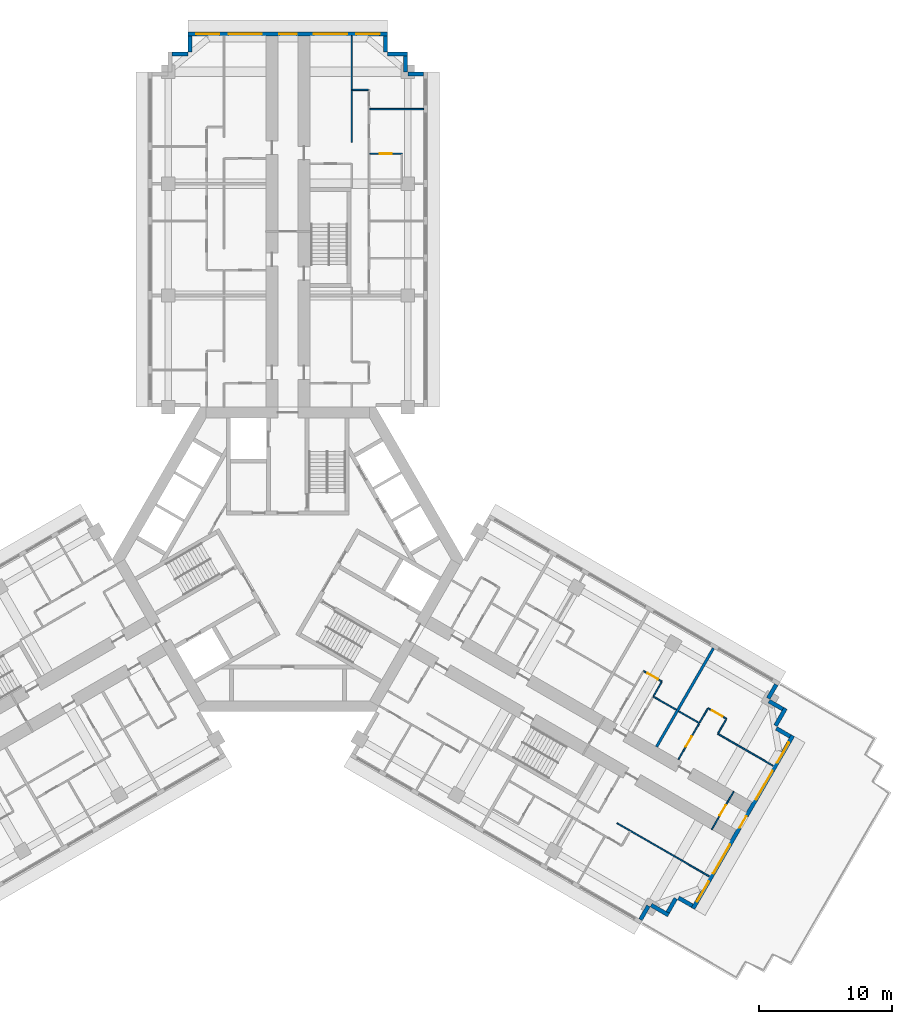
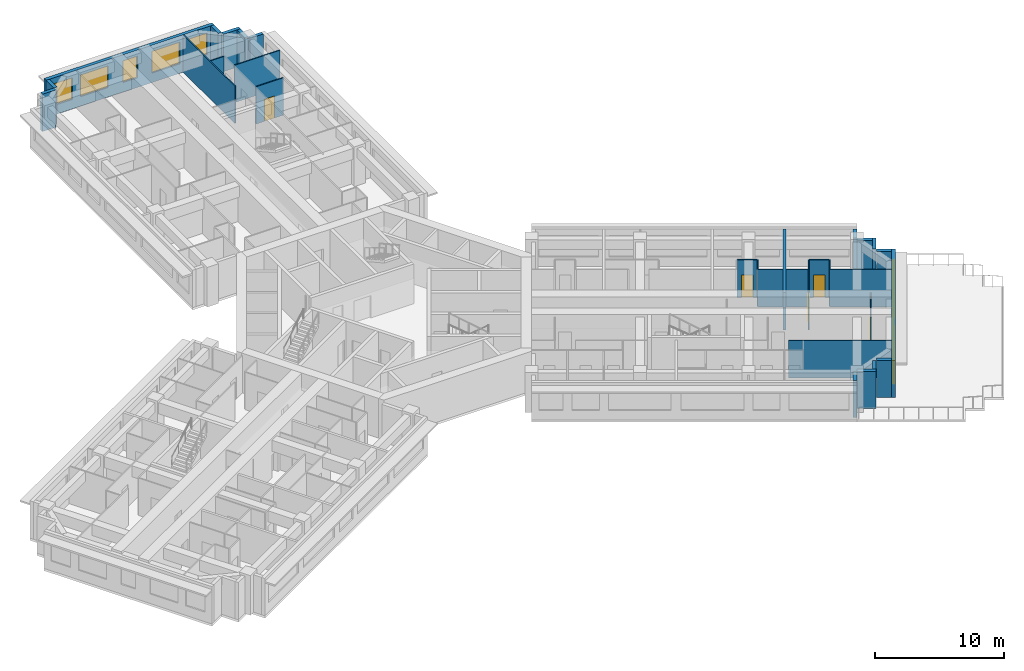
# One storey, part 11 of 14: 32 walls, 9 windows, 6 doors, 15 openings.
"""IFC4 building model written with IfcOpenShell, lengths in metres."""

from ifc_helpers import new_model, si_unit, direction, frame, frame_2d, origin, place, context, subcontext, project, spatial, rectangle, extrude, material, layer, layer_set, type_object, element, fill, save


model = new_model("IFC4")

# Units and contexts
model_context = context("Model", 3, precision=1e-05, world=origin(), true_north=direction((0.0, 1.0)))
body_context = subcontext(model_context, "Body", "Model", "MODEL_VIEW")
ifc_project = project(units=[si_unit("LENGTHUNIT", "METRE"), si_unit("AREAUNIT", "SQUARE_METRE"), si_unit("VOLUMEUNIT", "CUBIC_METRE"), si_unit("PLANEANGLEUNIT", "RADIAN"), si_unit("MASSUNIT", "GRAM", prefix="KILO")], contexts=[model_context])

# Site, building, storey
site_placement = place(None, origin())
site = spatial("IfcSite", under=ifc_project, at=site_placement, CompositionType="ELEMENT")
building_placement = place(site_placement, origin())
building = spatial("IfcBuilding", under=site, at=building_placement, Name="Impinga Residences", CompositionType="ELEMENT")
storey_placement = place(building_placement, frame((0.0, 0.0, 158.5)))
storey = spatial("IfcBuildingStorey", under=building, at=storey_placement, Name="L39", CompositionType="ELEMENT", Elevation=158.5)

# Wall, opening, door
ifc_material_1 = material(Name="Concrete blockwork", Category="masonry")
ifc_layer_1 = layer(ifc_material_1, 0.10009765625)
ifc_layer_set_1 = layer_set([ifc_layer_1], Name="CP1 core room partition, blockwork 100")
wall_type_1 = type_object("IfcWallType", Name="CP1 core room partition, blockwork 100", PredefinedType="PARTITIONING", material=ifc_layer_set_1)
wall_1_placement = place(storey_placement, frame((33.50146484375, -17.436767578125, 0.0), z_axis=(0.0, 0.0, 1.0), x_axis=(-0.499974350878, -0.866040211805, 0.0)))
wall_1 = element("IfcWall", 1, at=wall_1_placement, inside=storey, type_object=wall_type_1, Name="Core room partition, blockwork L39:E:RFA", PredefinedType="PARTITIONING", context=body_context, shape_type="SweptSolid", body=[
    extrude(rectangle(XDim=3.300048828125, YDim=0.10009765625, at=frame_2d((1.64990234375, 0.0))), origin(), (0.0, 0.0, 1.0), 3.530029296875),
])
opening_1_placement = place(wall_1_placement, frame((1.199951171875, 0.0, 0.0)))
opening_1 = element("IfcOpeningElement", 2, at=opening_1_placement, cuts=wall_1, Name="Opening D6", PredefinedType="OPENING", context=body_context, shape_type="SweptSolid", body=[
    extrude(rectangle(XDim=0.89990234375, YDim=2.10009765625, at=frame_2d((0.449951171875, 1.050048828125))), frame((0.0, 0.06005859375, 0.0), z_axis=(0.0, -1.0, 0.0), x_axis=(1.0, 0.0, 0.0)), (0.0, 0.0, 1.0), 0.1201171875),
])
ifc_material_2 = material(Name="Timber door set", Category="wood")
door_type_1 = type_object("IfcDoorType", Name="D6 riser and store door 900x2100", OperationType="SINGLE_SWING_LEFT", PredefinedType="DOOR", material=ifc_material_2)
door_1_placement = place(opening_1_placement, origin())
door_1 = element("IfcDoor", 3, at=door_1_placement, inside=storey, type_object=door_type_1, Name="Roof access room door E", OperationType="SINGLE_SWING_RIGHT", OverallHeight=2.10009765625, OverallWidth=0.89990234375, PredefinedType="DOOR", context=body_context, shape_type="SweptSolid", body=[
    extrude(rectangle(XDim=0.89990234375, YDim=2.10009765625, at=frame_2d((0.449951171875, 1.050048828125))), frame((0.0, 0.02490234375, 0.0), z_axis=(0.0, -1.0, 0.0), x_axis=(1.0, 0.0, 0.0)), (0.0, 0.0, 1.0), 0.050048828125),
])
fill(opening_1, door_1)

# Walls
ifc_material_3 = material(Name="Terracotta rainscreen on blockwork", Category="masonry")
ifc_layer_2 = layer(ifc_material_3, 0.300048828125)
ifc_layer_set_2 = layer_set([ifc_layer_2], Name="EW1 external wall, terracotta rainscreen on blockwork 300")
wall_type_2 = type_object("IfcWallType", Name="EW1 external wall, terracotta rainscreen on blockwork 300", PredefinedType="SOLIDWALL", material=ifc_layer_set_2)
wall_2_placement = place(storey_placement, frame((-8.699951171875, 37.9814453125, 0.0), z_axis=(0.0, 0.0, 1.0), x_axis=(1.0, 0.0, 0.0)))
element("IfcWall", 4, at=wall_2_placement, inside=storey, type_object=wall_type_2, Name="External wall EW1 L39", PredefinedType="SOLIDWALL", context=body_context, shape_type="SweptSolid", body=[
    extrude(rectangle(XDim=1.199951171875, YDim=0.300048828125, at=frame_2d((0.60009765625, 0.0))), origin(), (0.0, 0.0, 1.0), 3.530029296875),
])
wall_3_placement = place(storey_placement, frame((-7.35009765625, 38.136474609375, 0.0), z_axis=(0.0, 0.0, 1.0), x_axis=(0.0, 1.0, 0.0)))
element("IfcWall", 5, at=wall_3_placement, inside=storey, type_object=wall_type_2, Name="External wall EW1 L39", PredefinedType="SOLIDWALL", context=body_context, shape_type="SweptSolid", body=[
    extrude(rectangle(XDim=1.195068359375, YDim=0.300048828125, at=frame_2d((0.59765625, 0.0))), origin(), (0.0, 0.0, 1.0), 3.530029296875),
])

# Wall, openings, windows
wall_4_placement = place(storey_placement, frame((-7.5, 39.4814453125, 0.0), z_axis=(0.0, 0.0, 1.0), x_axis=(1.0, 0.0, 0.0)))
wall_4 = element("IfcWall", 6, at=wall_4_placement, inside=storey, type_object=wall_type_2, Name="External wall EW1 L39", PredefinedType="SOLIDWALL", context=body_context, shape_type="SweptSolid", body=[
    extrude(rectangle(XDim=15.0, YDim=0.300048828125, at=frame_2d((7.5, 0.0))), origin(), (0.0, 0.0, 1.0), 3.530029296875),
])
opening_2_placement = place(wall_4_placement, frame((0.60009765625, 0.0, 0.89990234375)))
opening_2 = element("IfcOpeningElement", 7, at=opening_2_placement, cuts=wall_4, Name="Opening W1", PredefinedType="OPENING", context=body_context, shape_type="SweptSolid", body=[
    extrude(rectangle(XDim=1.75, YDim=2.050048828125, at=frame_2d((0.875, 1.02490234375))), frame((0.0, 0.159912109375, 0.0), z_axis=(0.0, -1.0, 0.0), x_axis=(1.0, 0.0, 0.0)), (0.0, 0.0, 1.0), 0.320068359375),
])
opening_3_placement = place(wall_4_placement, frame((3.050048828125, 0.0, 0.89990234375)))
opening_3 = element("IfcOpeningElement", 8, at=opening_3_placement, cuts=wall_4, Name="Opening W2", PredefinedType="OPENING", context=body_context, shape_type="SweptSolid", body=[
    extrude(rectangle(XDim=2.5, YDim=2.050048828125, at=frame_2d((1.25, 1.02490234375))), frame((0.0, 0.159912109375, 0.0), z_axis=(0.0, -1.0, 0.0), x_axis=(1.0, 0.0, 0.0)), (0.0, 0.0, 1.0), 0.320068359375),
])
opening_4_placement = place(wall_4_placement, frame((6.85009765625, 0.0, 0.89990234375)))
opening_4 = element("IfcOpeningElement", 9, at=opening_4_placement, cuts=wall_4, Name="Opening W17", PredefinedType="OPENING", context=body_context, shape_type="SweptSolid", body=[
    extrude(rectangle(XDim=1.300048828125, YDim=2.050048828125, at=frame_2d((0.64990234375, 1.02490234375))), frame((0.0, 0.159912109375, 0.0), z_axis=(0.0, -1.0, 0.0), x_axis=(1.0, 0.0, 0.0)), (0.0, 0.0, 1.0), 0.320068359375),
])
opening_5_placement = place(wall_4_placement, frame((9.449951171875, 0.0, 0.89990234375)))
opening_5 = element("IfcOpeningElement", 10, at=opening_5_placement, cuts=wall_4, Name="Opening W2", PredefinedType="OPENING", context=body_context, shape_type="SweptSolid", body=[
    extrude(rectangle(XDim=2.5, YDim=2.050048828125, at=frame_2d((1.25, 1.02490234375))), frame((0.0, 0.159912109375, 0.0), z_axis=(0.0, -1.0, 0.0), x_axis=(1.0, 0.0, 0.0)), (0.0, 0.0, 1.0), 0.320068359375),
])
opening_6_placement = place(wall_4_placement, frame((12.64990234375, 0.0, 0.89990234375)))
opening_6 = element("IfcOpeningElement", 11, at=opening_6_placement, cuts=wall_4, Name="Opening W1", PredefinedType="OPENING", context=body_context, shape_type="SweptSolid", body=[
    extrude(rectangle(XDim=1.75, YDim=2.050048828125, at=frame_2d((0.875, 1.02490234375))), frame((0.0, 0.159912109375, 0.0), z_axis=(0.0, -1.0, 0.0), x_axis=(1.0, 0.0, 0.0)), (0.0, 0.0, 1.0), 0.320068359375),
])
ifc_material_4 = material(Name="Aluminium window, clear double glazing", Category="aluminium")
window_type_1 = type_object("IfcWindowType", Name="W1 ribbon window 1750x2050", PartitioningType="SINGLE_PANEL", PredefinedType="WINDOW", material=ifc_material_4)
window_1_placement = place(opening_2_placement, origin())
window_1 = element("IfcWindow", 12, at=window_1_placement, inside=storey, type_object=window_type_1, Name="Window L39", OverallHeight=2.050048828125, OverallWidth=1.75, PartitioningType="SINGLE_PANEL", PredefinedType="WINDOW", context=body_context, shape_type="SweptSolid", body=[
    extrude(rectangle(XDim=1.75, YDim=2.050048828125, at=frame_2d((0.875, 1.02490234375))), frame((0.0, 0.030029296875, 0.0), z_axis=(0.0, -1.0, 0.0), x_axis=(1.0, 0.0, 0.0)), (0.0, 0.0, 1.0), 0.06005859375),
])
fill(opening_2, window_1)
window_2_placement = place(opening_6_placement, origin())
window_2 = element("IfcWindow", 13, at=window_2_placement, inside=storey, type_object=window_type_1, Name="Window L39", OverallHeight=2.050048828125, OverallWidth=1.75, PartitioningType="SINGLE_PANEL", PredefinedType="WINDOW", context=body_context, shape_type="SweptSolid", body=[
    extrude(rectangle(XDim=1.75, YDim=2.050048828125, at=frame_2d((0.875, 1.02490234375))), frame((0.0, 0.030029296875, 0.0), z_axis=(0.0, -1.0, 0.0), x_axis=(1.0, 0.0, 0.0)), (0.0, 0.0, 1.0), 0.06005859375),
])
fill(opening_6, window_2)
window_type_2 = type_object("IfcWindowType", Name="W17 ribbon window 1300x2050", PartitioningType="SINGLE_PANEL", PredefinedType="WINDOW", material=ifc_material_4)
window_3_placement = place(opening_4_placement, origin())
window_3 = element("IfcWindow", 14, at=window_3_placement, inside=storey, type_object=window_type_2, Name="Window L39", OverallHeight=2.050048828125, OverallWidth=1.300048828125, PartitioningType="SINGLE_PANEL", PredefinedType="WINDOW", context=body_context, shape_type="SweptSolid", body=[
    extrude(rectangle(XDim=1.300048828125, YDim=2.050048828125, at=frame_2d((0.64990234375, 1.02490234375))), frame((0.0, 0.030029296875, 0.0), z_axis=(0.0, -1.0, 0.0), x_axis=(1.0, 0.0, 0.0)), (0.0, 0.0, 1.0), 0.06005859375),
])
fill(opening_4, window_3)
window_type_3 = type_object("IfcWindowType", Name="W2 ribbon window 2500x2050", PartitioningType="SINGLE_PANEL", PredefinedType="WINDOW", material=ifc_material_4)
window_4_placement = place(opening_3_placement, origin())
window_4 = element("IfcWindow", 15, at=window_4_placement, inside=storey, type_object=window_type_3, Name="Window L39", OverallHeight=2.050048828125, OverallWidth=2.5, PartitioningType="SINGLE_PANEL", PredefinedType="WINDOW", context=body_context, shape_type="SweptSolid", body=[
    extrude(rectangle(XDim=2.5, YDim=2.050048828125, at=frame_2d((1.25, 1.02490234375))), frame((0.0, 0.030029296875, 0.0), z_axis=(0.0, -1.0, 0.0), x_axis=(1.0, 0.0, 0.0)), (0.0, 0.0, 1.0), 0.06005859375),
])
fill(opening_3, window_4)
window_5_placement = place(opening_5_placement, origin())
window_5 = element("IfcWindow", 16, at=window_5_placement, inside=storey, type_object=window_type_3, Name="Window L39", OverallHeight=2.050048828125, OverallWidth=2.5, PartitioningType="SINGLE_PANEL", PredefinedType="WINDOW", context=body_context, shape_type="SweptSolid", body=[
    extrude(rectangle(XDim=2.5, YDim=2.050048828125, at=frame_2d((1.25, 1.02490234375))), frame((0.0, 0.030029296875, 0.0), z_axis=(0.0, -1.0, 0.0), x_axis=(1.0, 0.0, 0.0)), (0.0, 0.0, 1.0), 0.06005859375),
])
fill(opening_5, window_5)

# Walls
wall_5_placement = place(storey_placement, frame((7.35009765625, 39.33154296875, 0.0), z_axis=(0.0, 0.0, 1.0), x_axis=(0.0, -1.0, 0.0)))
element("IfcWall", 17, at=wall_5_placement, inside=storey, type_object=wall_type_2, Name="External wall EW1 L39", PredefinedType="SOLIDWALL", context=body_context, shape_type="SweptSolid", body=[
    extrude(rectangle(XDim=1.195068359375, YDim=0.300048828125, at=frame_2d((0.59765625, 0.0))), origin(), (0.0, 0.0, 1.0), 3.530029296875),
])
wall_6_placement = place(storey_placement, frame((7.5, 37.9814453125, 0.0), z_axis=(0.0, 0.0, 1.0), x_axis=(1.0, 0.0, 0.0)))
element("IfcWall", 18, at=wall_6_placement, inside=storey, type_object=wall_type_2, Name="External wall EW1 L39", PredefinedType="SOLIDWALL", context=body_context, shape_type="SweptSolid", body=[
    extrude(rectangle(XDim=1.5, YDim=0.300048828125, at=frame_2d((0.75, 0.0))), origin(), (0.0, 0.0, 1.0), 3.530029296875),
])
wall_7_placement = place(storey_placement, frame((8.85009765625, 37.83154296875, 0.0), z_axis=(0.0, 0.0, 1.0), x_axis=(0.0, -1.0, 0.0)))
element("IfcWall", 19, at=wall_7_placement, inside=storey, type_object=wall_type_2, Name="External wall EW1 L39", PredefinedType="SOLIDWALL", context=body_context, shape_type="SweptSolid", body=[
    extrude(rectangle(XDim=1.199951171875, YDim=0.300048828125, at=frame_2d((0.60009765625, 0.0))), origin(), (0.0, 0.0, 1.0), 3.530029296875),
])
wall_8_placement = place(storey_placement, frame((9.0048828125, 36.4814453125, 0.0), z_axis=(0.0, 0.0, 1.0), x_axis=(1.0, 0.0, 0.0)))
element("IfcWall", 20, at=wall_8_placement, inside=storey, type_object=wall_type_2, Name="External wall EW1 L39", PredefinedType="SOLIDWALL", context=body_context, shape_type="SweptSolid", body=[
    extrude(rectangle(XDim=1.195068359375, YDim=0.300048828125, at=frame_2d((0.59765625, 0.0))), origin(), (0.0, 0.0, 1.0), 3.530029296875),
])
wall_9_placement = place(storey_placement, frame((36.69384765625, -9.4072265625, 0.0), z_axis=(0.0, 0.0, 1.0), x_axis=(-0.499880961361, -0.866094119867, 0.0)))
element("IfcWall", 21, at=wall_9_placement, inside=storey, type_object=wall_type_2, Name="External wall EW1 L39", PredefinedType="SOLIDWALL", context=body_context, shape_type="SweptSolid", body=[
    extrude(rectangle(XDim=1.199951171875, YDim=0.300048828125, at=frame_2d((0.60009765625, 0.0))), origin(), (0.0, 0.0, 1.0), 3.530029296875),
])
wall_10_placement = place(storey_placement, frame((36.153076171875, -10.654052734375, 0.0), z_axis=(0.0, 0.0, 1.0), x_axis=(0.866059708757, -0.499940577336, 0.0)))
element("IfcWall", 22, at=wall_10_placement, inside=storey, type_object=wall_type_2, Name="External wall EW1 L39", PredefinedType="SOLIDWALL", context=body_context, shape_type="SweptSolid", body=[
    extrude(rectangle(XDim=1.195068359375, YDim=0.300048828125, at=frame_2d((0.59765625, 0.0))), origin(), (0.0, 0.0, 1.0), 3.530029296875),
])
wall_11_placement = place(storey_placement, frame((37.39306640625, -11.196533203125, 0.0), z_axis=(0.0, 0.0, 1.0), x_axis=(-0.499990139034, -0.866031096941, 0.0)))
element("IfcWall", 23, at=wall_11_placement, inside=storey, type_object=wall_type_2, Name="External wall EW1 L39", PredefinedType="SOLIDWALL", context=body_context, shape_type="SweptSolid", body=[
    extrude(rectangle(XDim=1.5, YDim=0.300048828125, at=frame_2d((0.75, 0.0))), origin(), (0.0, 0.0, 1.0), 3.530029296875),
])
wall_12_placement = place(storey_placement, frame((36.7021484375, -12.702880859375, 0.0), z_axis=(0.0, 0.0, 1.0), x_axis=(0.865971243484, -0.500093796661, 0.0)))
element("IfcWall", 24, at=wall_12_placement, inside=storey, type_object=wall_type_2, Name="External wall EW1 L39", PredefinedType="SOLIDWALL", context=body_context, shape_type="SweptSolid", body=[
    extrude(rectangle(XDim=1.195068359375, YDim=0.300048828125, at=frame_2d((0.59765625, 0.0))), origin(), (0.0, 0.0, 1.0), 3.530029296875),
])

# Wall, openings, door, windows
wall_13_placement = place(storey_placement, frame((37.94189453125, -13.24560546875, 0.0), z_axis=(0.0, 0.0, 1.0), x_axis=(-0.500004234368, -0.866022959057, 0.0)))
wall_13 = element("IfcWall", 25, at=wall_13_placement, inside=storey, type_object=wall_type_2, Name="External wall EW1 L39", PredefinedType="SOLIDWALL", context=body_context, shape_type="SweptSolid", body=[
    extrude(rectangle(XDim=14.999755859375, YDim=0.300048828125, at=frame_2d((7.5, 0.0))), origin(), (0.0, 0.0, 1.0), 3.530029296875),
])
opening_7_placement = place(wall_13_placement, frame((7.0, 0.0, 0.0)))
opening_7 = element("IfcOpeningElement", 26, at=opening_7_placement, cuts=wall_13, Name="Opening RD1", PredefinedType="OPENING", context=body_context, shape_type="SweptSolid", body=[
    extrude(rectangle(XDim=1.0, YDim=2.10009765625, at=frame_2d((0.5, 1.050048828125))), frame((0.0, 0.159912109375, 0.0), z_axis=(0.0, -1.0, 0.0), x_axis=(1.0, 0.0, 0.0)), (0.0, 0.0, 1.0), 0.320068359375),
])
opening_8_placement = place(wall_13_placement, frame((0.60009765625, 0.0, 0.89990234375)))
opening_8 = element("IfcOpeningElement", 27, at=opening_8_placement, cuts=wall_13, Name="Opening W1", PredefinedType="OPENING", context=body_context, shape_type="SweptSolid", body=[
    extrude(rectangle(XDim=1.75, YDim=2.050048828125, at=frame_2d((0.875, 1.02490234375))), frame((0.0, 0.159912109375, 0.0), z_axis=(0.0, -1.0, 0.0), x_axis=(1.0, 0.0, 0.0)), (0.0, 0.0, 1.0), 0.320068359375),
])
opening_9_placement = place(wall_13_placement, frame((3.050048828125, 0.0, 0.89990234375)))
opening_9 = element("IfcOpeningElement", 28, at=opening_9_placement, cuts=wall_13, Name="Opening W2", PredefinedType="OPENING", context=body_context, shape_type="SweptSolid", body=[
    extrude(rectangle(XDim=2.5, YDim=2.050048828125, at=frame_2d((1.25, 1.02490234375))), frame((0.0, 0.159912109375, 0.0), z_axis=(0.0, -1.0, 0.0), x_axis=(1.0, 0.0, 0.0)), (0.0, 0.0, 1.0), 0.320068359375),
])
opening_10_placement = place(wall_13_placement, frame((9.449951171875, 0.0, 0.89990234375)))
opening_10 = element("IfcOpeningElement", 29, at=opening_10_placement, cuts=wall_13, Name="Opening W2", PredefinedType="OPENING", context=body_context, shape_type="SweptSolid", body=[
    extrude(rectangle(XDim=2.5, YDim=2.050048828125, at=frame_2d((1.25, 1.02490234375))), frame((0.0, 0.159912109375, 0.0), z_axis=(0.0, -1.0, 0.0), x_axis=(1.0, 0.0, 0.0)), (0.0, 0.0, 1.0), 0.320068359375),
])
opening_11_placement = place(wall_13_placement, frame((12.64990234375, 0.0, 0.89990234375)))
opening_11 = element("IfcOpeningElement", 30, at=opening_11_placement, cuts=wall_13, Name="Opening W1", PredefinedType="OPENING", context=body_context, shape_type="SweptSolid", body=[
    extrude(rectangle(XDim=1.75, YDim=2.050048828125, at=frame_2d((0.875, 1.02490234375))), frame((0.0, 0.159912109375, 0.0), z_axis=(0.0, -1.0, 0.0), x_axis=(1.0, 0.0, 0.0)), (0.0, 0.0, 1.0), 0.320068359375),
])
ifc_material_5 = material(Name="Steel door, painted", Category="steel")
door_type_2 = type_object("IfcDoorType", Name="RD1 maintenance roof access door 1000x2100", OperationType="SINGLE_SWING_LEFT", PredefinedType="DOOR", material=ifc_material_5)
door_2_placement = place(opening_7_placement, origin())
door_2 = element("IfcDoor", 31, at=door_2_placement, inside=storey, type_object=door_type_2, Name="Maintenance roof access door L39", OperationType="SINGLE_SWING_RIGHT", OverallHeight=2.10009765625, OverallWidth=1.0, PredefinedType="DOOR", context=body_context, shape_type="SweptSolid", body=[
    extrude(rectangle(XDim=1.0, YDim=2.10009765625, at=frame_2d((0.5, 1.050048828125))), frame((0.0, 0.02490234375, 0.0), z_axis=(0.0, -1.0, 0.0), x_axis=(1.0, 0.0, 0.0)), (0.0, 0.0, 1.0), 0.050048828125),
])
fill(opening_7, door_2)
window_6_placement = place(opening_8_placement, origin())
window_6 = element("IfcWindow", 32, at=window_6_placement, inside=storey, type_object=window_type_1, Name="Window L39", OverallHeight=2.050048828125, OverallWidth=1.75, PartitioningType="SINGLE_PANEL", PredefinedType="WINDOW", context=body_context, shape_type="SweptSolid", body=[
    extrude(rectangle(XDim=1.75, YDim=2.050048828125, at=frame_2d((0.875, 1.02490234375))), frame((0.0, 0.030029296875, 0.0), z_axis=(0.0, -1.0, 0.0), x_axis=(1.0, 0.0, 0.0)), (0.0, 0.0, 1.0), 0.06005859375),
])
fill(opening_8, window_6)
window_7_placement = place(opening_11_placement, origin())
window_7 = element("IfcWindow", 33, at=window_7_placement, inside=storey, type_object=window_type_1, Name="Window L39", OverallHeight=2.050048828125, OverallWidth=1.75, PartitioningType="SINGLE_PANEL", PredefinedType="WINDOW", context=body_context, shape_type="SweptSolid", body=[
    extrude(rectangle(XDim=1.75, YDim=2.050048828125, at=frame_2d((0.875, 1.02490234375))), frame((0.0, 0.030029296875, 0.0), z_axis=(0.0, -1.0, 0.0), x_axis=(1.0, 0.0, 0.0)), (0.0, 0.0, 1.0), 0.06005859375),
])
fill(opening_11, window_7)
window_8_placement = place(opening_9_placement, origin())
window_8 = element("IfcWindow", 34, at=window_8_placement, inside=storey, type_object=window_type_3, Name="Window L39", OverallHeight=2.050048828125, OverallWidth=2.5, PartitioningType="SINGLE_PANEL", PredefinedType="WINDOW", context=body_context, shape_type="SweptSolid", body=[
    extrude(rectangle(XDim=2.5, YDim=2.050048828125, at=frame_2d((1.25, 1.02490234375))), frame((0.0, 0.030029296875, 0.0), z_axis=(0.0, -1.0, 0.0), x_axis=(1.0, 0.0, 0.0)), (0.0, 0.0, 1.0), 0.06005859375),
])
fill(opening_9, window_8)
window_9_placement = place(opening_10_placement, origin())
window_9 = element("IfcWindow", 35, at=window_9_placement, inside=storey, type_object=window_type_3, Name="Window L39", OverallHeight=2.050048828125, OverallWidth=2.5, PartitioningType="SINGLE_PANEL", PredefinedType="WINDOW", context=body_context, shape_type="SweptSolid", body=[
    extrude(rectangle(XDim=2.5, YDim=2.050048828125, at=frame_2d((1.25, 1.02490234375))), frame((0.0, 0.030029296875, 0.0), z_axis=(0.0, -1.0, 0.0), x_axis=(1.0, 0.0, 0.0)), (0.0, 0.0, 1.0), 0.06005859375),
])
fill(opening_10, window_9)

# Walls
wall_14_placement = place(storey_placement, frame((30.38720703125, -26.031005859375, 0.0), z_axis=(0.0, 0.0, 1.0), x_axis=(-0.866059708757, 0.499940577336, 0.0)))
element("IfcWall", 36, at=wall_14_placement, inside=storey, type_object=wall_type_2, Name="External wall EW1 L39", PredefinedType="SOLIDWALL", context=body_context, shape_type="SweptSolid", body=[
    extrude(rectangle(XDim=1.195068359375, YDim=0.300048828125, at=frame_2d((0.59765625, 0.0))), origin(), (0.0, 0.0, 1.0), 3.530029296875),
])
wall_15_placement = place(storey_placement, frame((29.14306640625, -25.48583984375, 0.0), z_axis=(0.0, 0.0, 1.0), x_axis=(-0.500033551112, -0.866006032174, 0.0)))
element("IfcWall", 37, at=wall_15_placement, inside=storey, type_object=wall_type_2, Name="External wall EW1 L39", PredefinedType="SOLIDWALL", context=body_context, shape_type="SweptSolid", body=[
    extrude(rectangle(XDim=1.2001953125, YDim=0.300048828125, at=frame_2d((0.60009765625, 0.0))), origin(), (0.0, 0.0, 1.0), 3.530029296875),
])
wall_16_placement = place(storey_placement, frame((28.597900390625, -26.72998046875, 0.0), z_axis=(0.0, 0.0, 1.0), x_axis=(-0.866031096941, 0.499990139034, 0.0)))
element("IfcWall", 38, at=wall_16_placement, inside=storey, type_object=wall_type_2, Name="External wall EW1 L39", PredefinedType="SOLIDWALL", context=body_context, shape_type="SweptSolid", body=[
    extrude(rectangle(XDim=1.5, YDim=0.300048828125, at=frame_2d((0.75, 0.0))), origin(), (0.0, 0.0, 1.0), 3.530029296875),
])
wall_17_placement = place(storey_placement, frame((27.091552734375, -26.039306640625, 0.0), z_axis=(0.0, 0.0, 1.0), x_axis=(-0.500093796661, -0.865971243484, 0.0)))
element("IfcWall", 39, at=wall_17_placement, inside=storey, type_object=wall_type_2, Name="External wall EW1 L39", PredefinedType="SOLIDWALL", context=body_context, shape_type="SweptSolid", body=[
    extrude(rectangle(XDim=1.195068359375, YDim=0.300048828125, at=frame_2d((0.59765625, 0.0))), origin(), (0.0, 0.0, 1.0), 3.530029296875),
])
ifc_material_6 = material(Name="Gypsum board on steel studs", Category="steel")
ifc_layer_3 = layer(ifc_material_6, 0.10009765625)
ifc_layer_set_3 = layer_set([ifc_layer_3], Name="Gypsum board on steel studs")
wall_type_3 = type_object("IfcWallType", Name="IP1 partition 100", PredefinedType="PARTITIONING", material=ifc_layer_set_3)
wall_18_placement = place(storey_placement, frame((4.800048828125, 31.33154296875, 0.0), z_axis=(0.0, 0.0, 1.0), x_axis=(0.0, 1.0, 0.0)))
element("IfcWall", 40, at=wall_18_placement, inside=storey, type_object=wall_type_3, Name="Partition L39-NF2:DIV2", PredefinedType="PARTITIONING", context=body_context, shape_type="SweptSolid", body=[
    extrude(rectangle(XDim=8.0, YDim=0.10009765625, at=frame_2d((4.0, 0.0))), origin(), (0.0, 0.0, 1.0), 3.530029296875),
])
wall_19_placement = place(storey_placement, frame((4.85009765625, 35.281494140625, 0.0), z_axis=(0.0, 0.0, 1.0), x_axis=(1.0, 0.0, 0.0)))
element("IfcWall", 41, at=wall_19_placement, inside=storey, type_object=wall_type_3, Name="Partition L39-NF2:SE1", PredefinedType="PARTITIONING", context=body_context, shape_type="SweptSolid", body=[
    extrude(rectangle(XDim=1.199951171875, YDim=0.10009765625, at=frame_2d((0.60009765625, 0.0))), origin(), (0.0, 0.0, 1.0), 3.530029296875),
])
wall_20_placement = place(storey_placement, frame((6.14990234375, 33.83154296875, 0.0), z_axis=(0.0, 0.0, 1.0), x_axis=(1.0, 0.0, 0.0)))
element("IfcWall", 42, at=wall_20_placement, inside=storey, type_object=wall_type_3, Name="Partition L39-NF2:OB4", PredefinedType="PARTITIONING", context=body_context, shape_type="SweptSolid", body=[
    extrude(rectangle(XDim=4.050048828125, YDim=0.10009765625, at=frame_2d((2.02490234375, 0.0))), origin(), (0.0, 0.0, 1.0), 3.530029296875),
])

# Wall, opening, door
wall_21_placement = place(storey_placement, frame((6.14990234375, 30.4814453125, 0.0), z_axis=(0.0, 0.0, 1.0), x_axis=(1.0, 0.0, 0.0)))
wall_21 = element("IfcWall", 43, at=wall_21_placement, inside=storey, type_object=wall_type_3, Name="Partition L39-NF2:EN1", PredefinedType="PARTITIONING", context=body_context, shape_type="SweptSolid", body=[
    extrude(rectangle(XDim=2.4501953125, YDim=0.10009765625, at=frame_2d((1.22509765625, 0.0))), origin(), (0.0, 0.0, 1.0), 3.530029296875),
])
opening_12_placement = place(wall_21_placement, frame((0.75, 0.0, 0.0)))
opening_12 = element("IfcOpeningElement", 44, at=opening_12_placement, cuts=wall_21, Name="Opening D2", PredefinedType="OPENING", context=body_context, shape_type="SweptSolid", body=[
    extrude(rectangle(XDim=0.89990234375, YDim=2.10009765625, at=frame_2d((0.449951171875, 1.050048828125))), frame((0.0, 0.06005859375, 0.0), z_axis=(0.0, -1.0, 0.0), x_axis=(1.0, 0.0, 0.0)), (0.0, 0.0, 1.0), 0.1201171875),
])
door_type_3 = type_object("IfcDoorType", Name="D2 internal door 900x2100", OperationType="SINGLE_SWING_LEFT", PredefinedType="DOOR", material=ifc_material_2)
door_3_placement = place(opening_12_placement, origin())
door_3 = element("IfcDoor", 45, at=door_3_placement, inside=storey, type_object=door_type_3, Name="Apartment L39-NF2 en-suite door", OperationType="SINGLE_SWING_LEFT", OverallHeight=2.10009765625, OverallWidth=0.89990234375, PredefinedType="DOOR", context=body_context, shape_type="SweptSolid", body=[
    extrude(rectangle(XDim=0.89990234375, YDim=2.10009765625, at=frame_2d((0.449951171875, 1.050048828125))), frame((0.0, 0.02490234375, 0.0), z_axis=(0.0, -1.0, 0.0), x_axis=(1.0, 0.0, 0.0)), (0.0, 0.0, 1.0), 0.050048828125),
])
fill(opening_12, door_3)

# Wall
wall_22_placement = place(storey_placement, frame((27.45556640625, -10.308837890625, 0.0), z_axis=(0.0, 0.0, 1.0), x_axis=(0.866010750942, -0.50002537861, 0.0)))
element("IfcWall", 46, at=wall_22_placement, inside=storey, type_object=wall_type_3, Name="Partition L39-EA3:DIV1", PredefinedType="PARTITIONING", context=body_context, shape_type="SweptSolid", body=[
    extrude(rectangle(XDim=2.0, YDim=0.10009765625, at=frame_2d((1.0, 0.0))), origin(), (0.0, 0.0, 1.0), 3.530029296875),
])

# Wall, opening, door
wall_23_placement = place(storey_placement, frame((26.7197265625, -8.383056640625, 0.0), z_axis=(0.0, 0.0, 1.0), x_axis=(0.866028054938, -0.499995408039, 0.0)))
wall_23 = element("IfcWall", 47, at=wall_23_placement, inside=storey, type_object=wall_type_3, Name="Partition L39-EA3:STRIP", PredefinedType="PARTITIONING", context=body_context, shape_type="SweptSolid", body=[
    extrude(rectangle(XDim=1.60009765625, YDim=0.10009765625, at=frame_2d((0.800048828125, 0.0))), origin(), (0.0, 0.0, 1.0), 3.530029296875),
])
opening_13_placement = place(wall_23_placement, frame((0.35009765625, 0.0, 0.0)))
opening_13 = element("IfcOpeningElement", 48, at=opening_13_placement, cuts=wall_23, Name="Opening D2", PredefinedType="OPENING", context=body_context, shape_type="SweptSolid", body=[
    extrude(rectangle(XDim=0.89990234375, YDim=2.10009765625, at=frame_2d((0.449951171875, 1.050048828125))), frame((0.0, 0.06005859375, 0.0), z_axis=(0.0, -1.0, 0.0), x_axis=(1.0, 0.0, 0.0)), (0.0, 0.0, 1.0), 0.1201171875),
])
door_4_placement = place(opening_13_placement, origin())
door_4 = element("IfcDoor", 49, at=door_4_placement, inside=storey, type_object=door_type_3, Name="Apartment L39-EA3 room door", OperationType="SINGLE_SWING_LEFT", OverallHeight=2.10009765625, OverallWidth=0.89990234375, PredefinedType="DOOR", context=body_context, shape_type="SweptSolid", body=[
    extrude(rectangle(XDim=0.89990234375, YDim=2.10009765625, at=frame_2d((0.449951171875, 1.050048828125))), frame((0.0, 0.02490234375, 0.0), z_axis=(0.0, -1.0, 0.0), x_axis=(1.0, 0.0, 0.0)), (0.0, 0.0, 1.0), 0.050048828125),
])
fill(opening_13, door_4)

# Walls
wall_24_placement = place(storey_placement, frame((27.48046875, -10.265625, 0.0), z_axis=(0.0, 0.0, 1.0), x_axis=(0.500033551112, 0.866006032174, 0.0)))
element("IfcWall", 50, at=wall_24_placement, inside=storey, type_object=wall_type_3, Name="Partition L39-EA3:SE1", PredefinedType="PARTITIONING", context=body_context, shape_type="SweptSolid", body=[
    extrude(rectangle(XDim=1.2001953125, YDim=0.10009765625, at=frame_2d((0.60009765625, 0.0))), origin(), (0.0, 0.0, 1.0), 3.530029296875),
])
wall_25_placement = place(storey_placement, frame((29.360595703125, -11.408935546875, 0.0), z_axis=(0.0, 0.0, 1.0), x_axis=(0.866047807691, -0.499961193289, 0.0)))
element("IfcWall", 51, at=wall_25_placement, inside=storey, type_object=wall_type_3, Name="Partition L39-EA4:DIV0", PredefinedType="PARTITIONING", context=body_context, shape_type="SweptSolid", body=[
    extrude(rectangle(XDim=1.800048828125, YDim=0.10009765625, at=frame_2d((0.89990234375, 0.0))), origin(), (0.0, 0.0, 1.0), 3.530029296875),
])
wall_26_placement = place(storey_placement, frame((32.30517578125, -13.10888671875, 0.0), z_axis=(0.0, 0.0, 1.0), x_axis=(0.866037363387, -0.499979284789, 0.0)))
element("IfcWall", 52, at=wall_26_placement, inside=storey, type_object=wall_type_3, Name="Partition L39-EA4:DIV1", PredefinedType="PARTITIONING", context=body_context, shape_type="SweptSolid", body=[
    extrude(rectangle(XDim=4.800048828125, YDim=0.10009765625, at=frame_2d((2.39990234375, 0.0))), origin(), (0.0, 0.0, 1.0), 3.530029296875),
])

# Wall, opening, door
wall_27_placement = place(storey_placement, frame((31.569580078125, -11.18310546875, 0.0), z_axis=(0.0, 0.0, 1.0), x_axis=(0.866055983265, -0.499947031044, 0.0)))
wall_27 = element("IfcWall", 53, at=wall_27_placement, inside=storey, type_object=wall_type_3, Name="Partition L39-EA4:STRIP", PredefinedType="PARTITIONING", context=body_context, shape_type="SweptSolid", body=[
    extrude(rectangle(XDim=1.599853515625, YDim=0.10009765625, at=frame_2d((0.7998046875, 0.0))), origin(), (0.0, 0.0, 1.0), 3.530029296875),
])
opening_14_placement = place(wall_27_placement, frame((0.35009765625, 0.0, 0.0)))
opening_14 = element("IfcOpeningElement", 54, at=opening_14_placement, cuts=wall_27, Name="Opening D2", PredefinedType="OPENING", context=body_context, shape_type="SweptSolid", body=[
    extrude(rectangle(XDim=0.89990234375, YDim=2.10009765625, at=frame_2d((0.449951171875, 1.050048828125))), frame((0.0, 0.06005859375, 0.0), z_axis=(0.0, -1.0, 0.0), x_axis=(1.0, 0.0, 0.0)), (0.0, 0.0, 1.0), 0.1201171875),
])
door_5_placement = place(opening_14_placement, origin())
door_5 = element("IfcDoor", 55, at=door_5_placement, inside=storey, type_object=door_type_3, Name="Apartment L39-EA4 room door", OperationType="SINGLE_SWING_LEFT", OverallHeight=2.10009765625, OverallWidth=0.89990234375, PredefinedType="DOOR", context=body_context, shape_type="SweptSolid", body=[
    extrude(rectangle(XDim=0.89990234375, YDim=2.10009765625, at=frame_2d((0.449951171875, 1.050048828125))), frame((0.0, 0.02490234375, 0.0), z_axis=(0.0, -1.0, 0.0), x_axis=(1.0, 0.0, 0.0)), (0.0, 0.0, 1.0), 0.050048828125),
])
fill(opening_14, door_5)

# Walls
for number, where, z_axis, x_axis, name in (
    (56, (30.944580078125, -12.265625, 0.0), (0.0, 0.0, 1.0), (0.499880961361, 0.866094119867, 0.0), "Partition L39-EA4:SE0"),
    (57, (32.330078125, -13.0654296875, 0.0), (0.0, 0.0, 1.0), (0.50012165622, 0.865955154139, 0.0), "Partition L39-EA4:SE1"),
):
    element("IfcWall", number, at=place(storey_placement, frame(where, z_axis=z_axis, x_axis=x_axis)), inside=storey, type_object=wall_type_3, Name=name, PredefinedType="PARTITIONING", context=body_context, shape_type="SweptSolid", body=[
        extrude(rectangle(XDim=1.199951171875, YDim=0.10009765625, at=frame_2d((0.60009765625, 0.0))), origin(), (0.0, 0.0, 1.0), 3.530029296875),
    ])

# Wall, opening, door
wall_28_placement = place(storey_placement, frame((29.344482421875, -15.036865234375, 0.0), z_axis=(0.0, 0.0, 1.0), x_axis=(0.49999285859, 0.86602952684, 0.0)))
wall_28 = element("IfcWall", 58, at=wall_28_placement, inside=storey, type_object=wall_type_3, Name="Partition L39-EA4:IB1", PredefinedType="PARTITIONING", context=body_context, shape_type="SweptSolid", body=[
    extrude(rectangle(XDim=3.10009765625, YDim=0.10009765625, at=frame_2d((1.550048828125, 0.0))), origin(), (0.0, 0.0, 1.0), 3.530029296875),
])
opening_15_placement = place(wall_28_placement, frame((1.10009765625, 0.0, 0.0)))
opening_15 = element("IfcOpeningElement", 59, at=opening_15_placement, cuts=wall_28, Name="Opening D2", PredefinedType="OPENING", context=body_context, shape_type="SweptSolid", body=[
    extrude(rectangle(XDim=0.89990234375, YDim=2.10009765625, at=frame_2d((0.449951171875, 1.050048828125))), frame((0.0, 0.06005859375, 0.0), z_axis=(0.0, -1.0, 0.0), x_axis=(1.0, 0.0, 0.0)), (0.0, 0.0, 1.0), 0.1201171875),
])
door_6_placement = place(opening_15_placement, origin())
door_6 = element("IfcDoor", 60, at=door_6_placement, inside=storey, type_object=door_type_3, Name="Apartment L39-EA4 bathroom door", OperationType="SINGLE_SWING_LEFT", OverallHeight=2.10009765625, OverallWidth=0.89990234375, PredefinedType="DOOR", context=body_context, shape_type="SweptSolid", body=[
    extrude(rectangle(XDim=0.89990234375, YDim=2.10009765625, at=frame_2d((0.449951171875, 1.050048828125))), frame((0.0, 0.02490234375, 0.0), z_axis=(0.0, -1.0, 0.0), x_axis=(1.0, 0.0, 0.0)), (0.0, 0.0, 1.0), 0.050048828125),
])
fill(opening_15, door_6)

# Walls
wall_29_placement = place(storey_placement, frame((24.73388671875, -19.82275390625, 0.0), z_axis=(0.0, 0.0, 1.0), x_axis=(0.866026010844, -0.49999894854, 0.0)))
element("IfcWall", 61, at=wall_29_placement, inside=storey, type_object=wall_type_3, Name="Partition L39-EF2:DIV1", PredefinedType="PARTITIONING", context=body_context, shape_type="SweptSolid", body=[
    extrude(rectangle(XDim=8.0, YDim=0.10009765625, at=frame_2d((4.0, 0.0))), origin(), (0.0, 0.0, 1.0), 3.530029296875),
])
ifc_layer_4 = layer(ifc_material_1, 0.199951171875)
ifc_layer_set_4 = layer_set([ifc_layer_4], Name="PW1 party wall between apartments 200")
wall_type_4 = type_object("IfcWallType", Name="PW1 party wall between apartments 200", PredefinedType="SOLIDWALL", material=ifc_layer_set_4)
wall_30_placement = place(storey_placement, frame((27.69921875, -14.0869140625, 0.0), z_axis=(0.0, 0.0, 1.0), x_axis=(0.499990227581, 0.86603104582, 0.0)))
element("IfcWall", 62, at=wall_30_placement, inside=storey, type_object=wall_type_4, Name="Party wall between apartments L39-EA3:PARTY", PredefinedType="SOLIDWALL", context=body_context, shape_type="SweptSolid", body=[
    extrude(rectangle(XDim=8.550048828125, YDim=0.199951171875, at=frame_2d((4.27490234375, 0.0))), origin(), (0.0, 0.0, 1.0), 3.530029296875),
])

save(model, "model.ifc")
